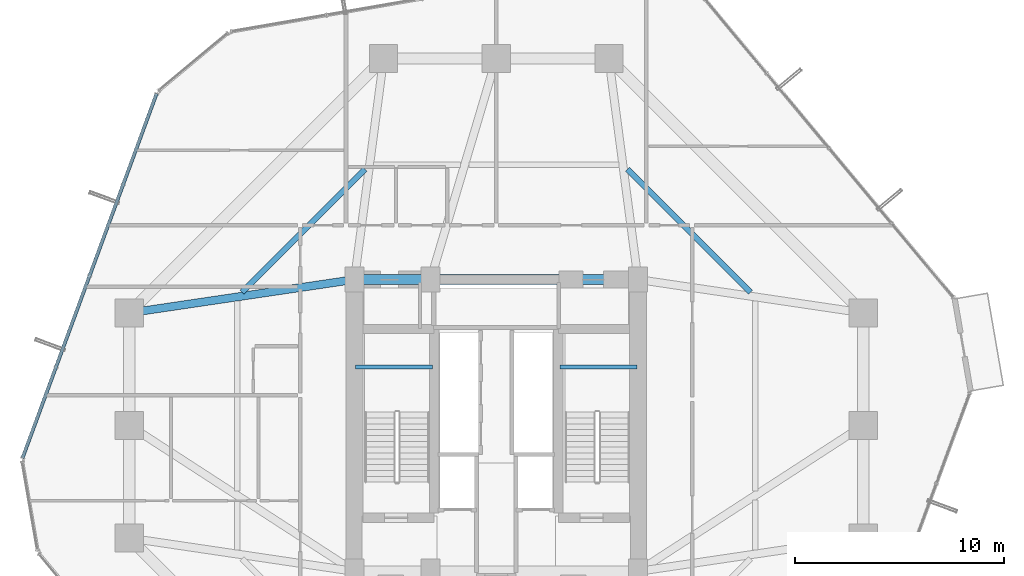
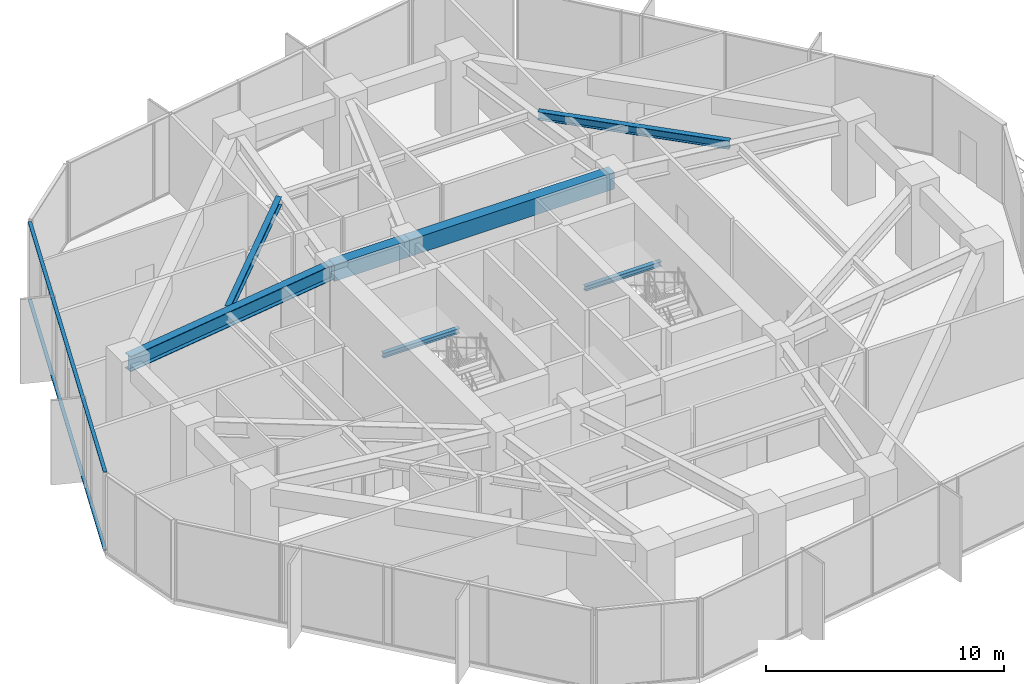
# One storey, part 12 of 35: 7 beams, 2 members, 1 element without a shape of its own.
"""IFC4 building model written with IfcOpenShell, lengths in metres."""

from ifc_helpers import new_model, si_unit, direction, frame, origin, origin_2d, place, context, subcontext, project, spatial, rectangle, hollow_rectangle, i_section, extrude, source, transform, mapped, material, layer, layer_set, material_profile, profile_set, type_object, element, aggregate, save


model = new_model("IFC4")

# Units and contexts
model_context = context("Model", 3, precision=1e-05, world=origin(), true_north=direction((0.0, 1.0)))
body_context = subcontext(model_context, "Body", "Model", "MODEL_VIEW")
ifc_project = project(units=[si_unit("LENGTHUNIT", "METRE"), si_unit("AREAUNIT", "SQUARE_METRE"), si_unit("VOLUMEUNIT", "CUBIC_METRE"), si_unit("PLANEANGLEUNIT", "RADIAN"), si_unit("MASSUNIT", "GRAM", prefix="KILO")], contexts=[model_context])

# Site, building, storey
site_placement = place(None, origin())
site = spatial("IfcSite", under=ifc_project, at=site_placement, CompositionType="ELEMENT")
building_placement = place(site_placement, origin())
building = spatial("IfcBuilding", under=site, at=building_placement, Name="Veraguas Prism Commons", CompositionType="ELEMENT")
storey_placement = place(building_placement, frame((0.0, 0.0, 56.550048828125)))
storey = spatial("IfcBuildingStorey", under=building, at=storey_placement, Name="L15", CompositionType="ELEMENT", Elevation=56.550048828125)

# Beams
ifc_material_1 = material(Name="Steel ASTM A992 Grade 50", Category="steel")
ifc_material_profile_1 = material_profile(ifc_material_1, i_section(OverallWidth=0.382080078125, OverallDepth=0.779052734375, WebThickness=0.01806640625, FlangeThickness=0.030029296875, at=origin_2d()), Name="W760X284")
ifc_profile_set_1 = profile_set([ifc_material_profile_1], Name="Steel ASTM A992 Grade 50")
beam_type_1 = type_object("IfcBeamType", Name="Assembly Primary Girder W760x284", PredefinedType="BEAM", material=ifc_profile_set_1)
beam_1_placement = place(storey_placement, frame((6.39990234375, 29.39990234375, 3.660400390625), z_axis=(0.989202261707, 0.146556765224, 0.0), x_axis=(-0.146556765224, 0.989202261707, 0.0)))
element("IfcBeam", 1, at=beam_1_placement, inside=storey, type_object=beam_type_1, Name="Radial Floor Girder L15-RD07", PredefinedType="BEAM", context=body_context, shape_type="SweptSolid", body=[
    extrude(i_section(OverallWidth=0.382080078125, OverallDepth=0.779052734375, WebThickness=0.01806640625, FlangeThickness=0.030029296875, at=origin_2d()), origin(), (0.0, 0.0, 1.0), 10.91796875),
])
ifc_material_2 = material(Name="Concrete C50/60", Category="concrete")
ifc_material_profile_2 = material_profile(ifc_material_2, rectangle(XDim=0.5, YDim=0.85009765625, at=origin_2d()), Name="RC500X850")
ifc_profile_set_2 = profile_set([ifc_material_profile_2], Name="Concrete C50/60")
beam_type_2 = type_object("IfcBeamType", Name="Core Coupling Beam RC 500x850", PredefinedType="BEAM", material=ifc_profile_set_2)
beam_2_placement = place(storey_placement, frame((17.199951171875, 31.0, 3.625), z_axis=(1.0, 0.0, 0.0), x_axis=(0.0, 1.0, 0.0)))
element("IfcBeam", 2, at=beam_2_placement, inside=storey, type_object=beam_type_2, Name="Core Coupling Beam L15-CRN1", PredefinedType="BEAM", context=body_context, shape_type="SweptSolid", body=[
    extrude(rectangle(XDim=0.5, YDim=0.85009765625, at=origin_2d()), origin(), (0.0, 0.0, 1.0), 3.650146484375),
])
beam_3_placement = place(storey_placement, frame((20.85009765625, 31.0, 3.625), z_axis=(1.0, 0.0, 0.0), x_axis=(0.0, 1.0, 0.0)))
element("IfcBeam", 3, at=beam_3_placement, inside=storey, type_object=beam_type_2, Name="Core Coupling Beam L15-CRN2", PredefinedType="BEAM", context=body_context, shape_type="SweptSolid", body=[
    extrude(rectangle(XDim=0.5, YDim=0.85009765625, at=origin_2d()), origin(), (0.0, 0.0, 1.0), 9.949951171875),
])
ifc_material_profile_3 = material_profile(ifc_material_1, i_section(OverallWidth=0.260986328125, OverallDepth=0.419921875, WebThickness=0.01171875, FlangeThickness=0.019287109375, at=origin_2d()), Name="W410X114")
ifc_profile_set_3 = profile_set([ifc_material_profile_3], Name="Steel ASTM A992 Grade 50")
beam_type_3 = type_object("IfcBeamType", Name="Lower Floor Joist W410x114", PredefinedType="JOIST", material=ifc_profile_set_3)
for number, where, z_axis, x_axis, name in (
    (4, (36.191650390625, 30.392333984375, 3.83984375), (-0.707106781187, 0.707106781187, 0.0), (-0.707106781187, -0.707106781187, 0.0), "Composite Floor Joist L15-JS03"),
    (5, (17.708251953125, 36.292236328125, 3.83984375), (-0.707106781187, -0.707106781187, 0.0), (0.707106781187, -0.707106781187, 0.0), "Composite Floor Joist L15-JS06"),
):
    element("IfcBeam", number, at=place(storey_placement, frame(where, z_axis=z_axis, x_axis=x_axis)), inside=storey, type_object=beam_type_3, Name=name, PredefinedType="JOIST", context=body_context, shape_type="SweptSolid", body=[
        extrude(i_section(OverallWidth=0.260986328125, OverallDepth=0.419921875, WebThickness=0.01171875, FlangeThickness=0.019287109375, at=origin_2d()), origin(), (0.0, 0.0, 1.0), 8.34375),
    ])
ifc_material_profile_4 = material_profile(ifc_material_1, i_section(OverallWidth=0.202880859375, OverallDepth=0.251953125, WebThickness=0.008056640625, FlangeThickness=0.013427734375, at=origin_2d()), Name="W250X58")
ifc_profile_set_4 = profile_set([ifc_material_profile_4], Name="Steel ASTM A992 Grade 50")
beam_type_4 = type_object("IfcBeamType", Name="Structural Opening Lintel W250x58", PredefinedType="LINTEL", material=ifc_profile_set_4)
for number, where, z_axis, x_axis, name in (
    (6, (17.25, 26.800048828125, 1.823974609375), (1.0, 0.0, 0.0), (0.0, 1.0, 0.0), "Stair ST-01 Half-Landing Support Beam L15-1"),
    (7, (27.050048828125, 26.800048828125, 1.823974609375), (1.0, 0.0, 0.0), (0.0, 1.0, 0.0), "Stair ST-02 Half-Landing Support Beam L15-1"),
):
    element("IfcBeam", number, at=place(storey_placement, frame(where, z_axis=z_axis, x_axis=x_axis)), inside=storey, type_object=beam_type_4, Name=name, PredefinedType="LINTEL", context=body_context, shape_type="SweptSolid", body=[
        extrude(i_section(OverallWidth=0.202880859375, OverallDepth=0.251953125, WebThickness=0.008056640625, FlangeThickness=0.013427734375, at=origin_2d()), origin(), (0.0, 0.0, 1.0), 3.699951171875),
    ])

# Curtain wall, members
ifc_material_3 = material(Name="Anodised aluminium EN AW-6063 T6", Category="aluminium")
ifc_layer = layer(ifc_material_3, 0.199951171875, Name="Sky Lobby and Pool Acoustic Curtain Wall", Category="aluminium")
ifc_layer_set = layer_set([ifc_layer], Name="Anodised aluminium EN AW-6063 T6")
curtain_wall_type = type_object("IfcCurtainWallType", Name="Sky Lobby and Pool Acoustic Curtain Wall", PredefinedType="NOTDEFINED", material=ifc_layer_set)
curtain_wall_placement = place(storey_placement, origin())
curtain_wall = element("IfcCurtainWall", 8, at=curtain_wall_placement, inside=storey, type_object=curtain_wall_type, Name="Tower Facade Curtain Wall L15-F3", PredefinedType="NOTDEFINED")
ifc_material_profile_5 = material_profile(ifc_material_3, hollow_rectangle(XDim=0.06005859375, YDim=0.159912109375, WallThickness=0.0029296875, at=origin_2d()), Name="AL60X160X3")
ifc_profile_set_5 = profile_set([ifc_material_profile_5], Name="Anodised aluminium EN AW-6063 T6")
member_type = type_object("IfcMemberType", Name="Curtain Wall Transom Heavy AL 60x160x3", PredefinedType="USERDEFINED", material=ifc_profile_set_5)
shared_shape = source(origin(), body_context, "Body", "SweptSolid", [
    extrude(hollow_rectangle(XDim=0.06005859375, YDim=0.159912109375, WallThickness=0.0029296875, at=origin_2d()), origin(), (0.0, 0.0, 1.0), 18.619140625),
])
member_1_placement = place(storey_placement, frame((7.70849609375, 39.913818359375, 0.030029296875), z_axis=(-0.345301241801, -0.938491903221, 0.0), x_axis=(0.0, 0.0, 1.0)))
member_1 = element("IfcMember", 9, at=member_1_placement, type_object=member_type, Name="CW-SKY Transom 1", ObjectType="TRANSOM", PredefinedType="USERDEFINED", context=body_context, shape_type="MappedRepresentation", body=[
    mapped(shared_shape, transform((0.0, 0.0, 0.0), scale=1.0)),
])
member_2_placement = place(storey_placement, frame((7.70849609375, 39.913818359375, 4.02001953125), z_axis=(-0.345301241801, -0.938491903221, 0.0), x_axis=(0.0, 0.0, 1.0)))
member_2 = element("IfcMember", 10, at=member_2_placement, type_object=member_type, Name="CW-SKY Transom 2", ObjectType="TRANSOM", PredefinedType="USERDEFINED", context=body_context, shape_type="MappedRepresentation", body=[
    mapped(shared_shape, transform((0.0, 0.0, 0.0), scale=1.0)),
])
aggregate(curtain_wall, [member_1, member_2])

save(model, "model.ifc")
